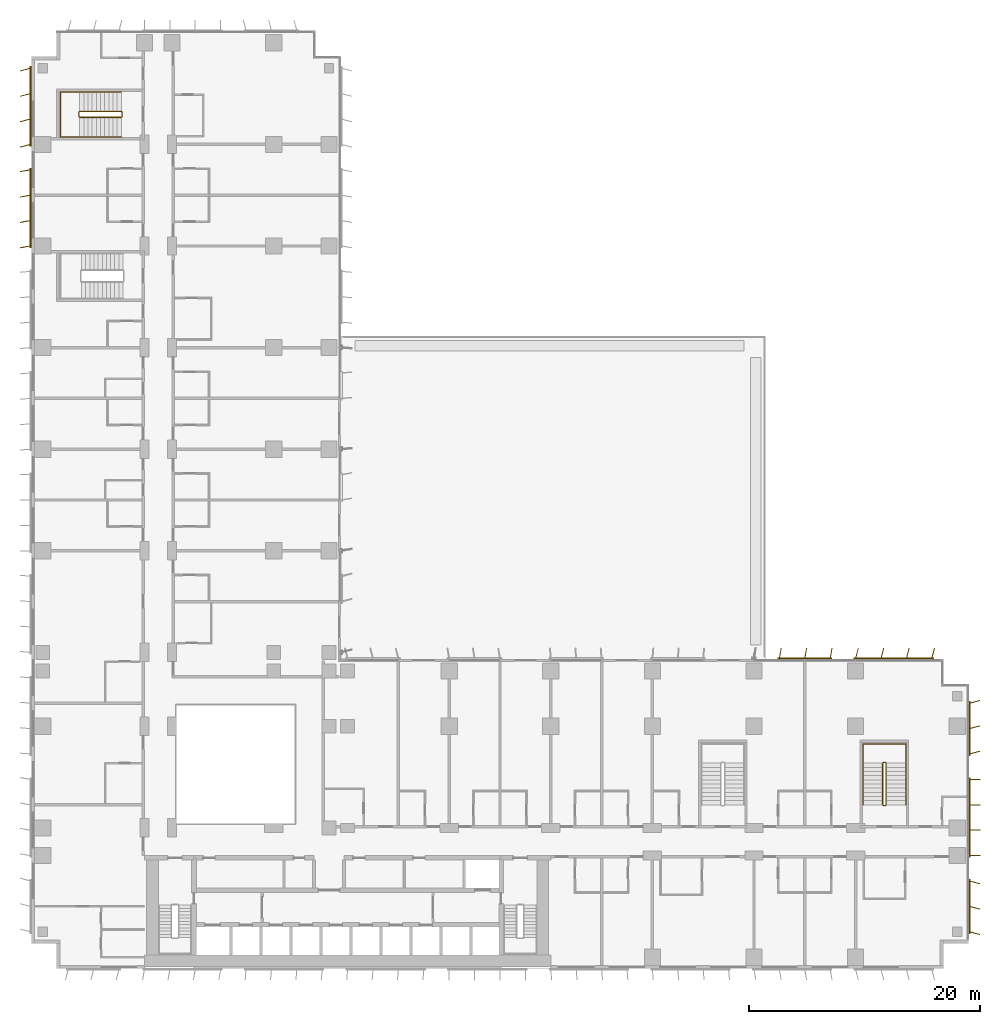
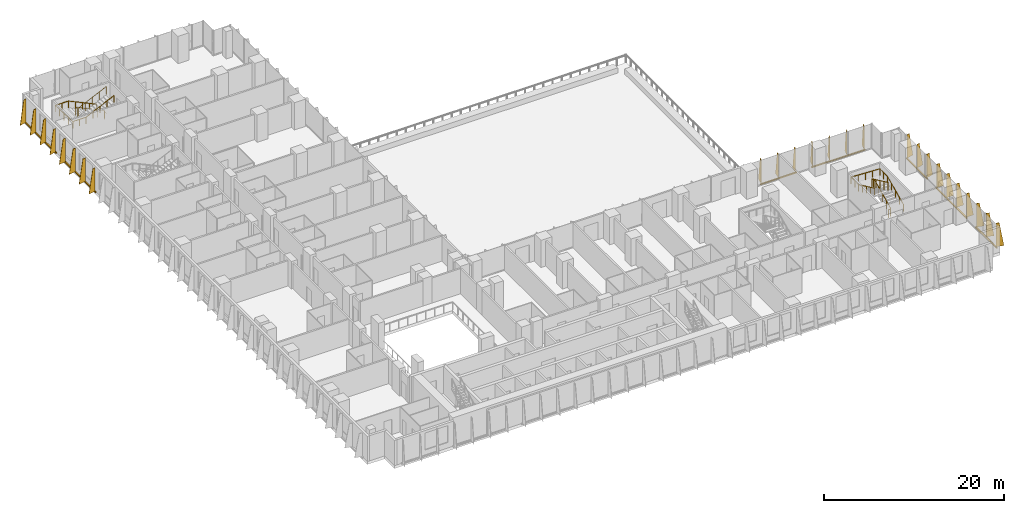
# One storey, part 22 of 23: 7 shading devices, 4 railings.
"""IFC4 building model written with IfcOpenShell, lengths in metres."""

from ifc_helpers import new_model, si_unit, direction, frame, origin, origin_2d, place, context, subcontext, project, spatial, polyline, rectangle, circle, outline, extrude, source, transform, mapped, material, layer, layer_set, type_object, element, save


model = new_model("IFC4")

# Units and contexts
model_context = context("Model", 3, precision=1e-05, world=origin(), true_north=direction((0.0, 1.0)))
body_context = subcontext(model_context, "Body", "Model", "MODEL_VIEW")
ifc_project = project(units=[si_unit("LENGTHUNIT", "METRE"), si_unit("AREAUNIT", "SQUARE_METRE"), si_unit("VOLUMEUNIT", "CUBIC_METRE"), si_unit("PLANEANGLEUNIT", "RADIAN"), si_unit("MASSUNIT", "GRAM", prefix="KILO")], contexts=[model_context])

# Site, building, storey
site_placement = place(None, origin())
site = spatial("IfcSite", under=ifc_project, at=site_placement, CompositionType="ELEMENT")
building_placement = place(site_placement, origin())
building = spatial("IfcBuilding", under=site, at=building_placement, Name="Kemantara Hotel Tower", CompositionType="ELEMENT")
storey_placement = place(building_placement, frame((0.0, 0.0, 34.0)))
storey = spatial("IfcBuildingStorey", under=building, at=storey_placement, Name="L06", CompositionType="ELEMENT", Elevation=34.0)

# Railings
ifc_material_1 = material(Name="Stainless steel balustrade", Category="steel")
railing_type_1 = type_object("IfcRailingType", Name="Stair guard 1100 mm", PredefinedType="GUARDRAIL", material=ifc_material_1)
railing_1_placement = place(storey_placement, frame((73.75, 14.199951171875, 3.699951171875)))
element("IfcRailing", 1, at=railing_1_placement, inside=storey, type_object=railing_type_1, Name="L06 ST5 stair guard 1", PredefinedType="GUARDRAIL", context=body_context, shape_type="SweptSolid", body=[
    extrude(circle(Radius=0.02392578125, at=origin_2d()), frame((0.0, 0.0, 1.076171875), z_axis=(0.0, 0.906005689286, -0.423265508849), x_axis=(-1.0, 0.0, 0.0)), (0.0, 0.0, 1.0), 3.9736328125),
    extrude(circle(Radius=0.02392578125, at=origin_2d()), frame((0.0, 3.60009765625, -0.60595703125), z_axis=(0.274582412415, 0.274582412415, -0.921525364591), x_axis=(-0.707106781187, 0.707106781187, 0.0)), (0.0, 0.0, 1.0), 0.182373046875),
    extrude(circle(Radius=0.02392578125, at=origin_2d()), frame((0.050048828125, 3.650146484375, -0.77392578125), z_axis=(1.0, 0.0, 0.0), x_axis=(0.0, 1.0, 0.0)), (0.0, 0.0, 1.0), 0.199951171875),
    extrude(circle(Radius=0.02392578125, at=origin_2d()), frame((0.25, 3.650146484375, -0.77392578125), z_axis=(0.707106781187, -0.707106781187, 0.0), x_axis=(0.707106781187, 0.707106781187, 0.0)), (0.0, 0.0, 1.0), 0.07080078125),
    extrude(circle(Radius=0.02392578125, at=origin_2d()), frame((0.300048828125, 3.60009765625, -0.77392578125), z_axis=(0.0, -0.906005689286, -0.423265508849), x_axis=(1.0, 0.0, 0.0)), (0.0, 0.0, 1.0), 3.9736328125),
    extrude(circle(Radius=0.02392578125, at=origin_2d()), frame((0.300048828125, 0.0, -2.45556640625), z_axis=(-0.274243871929, -0.274243871929, -0.92172696468), x_axis=(0.707106781187, -0.707106781187, 0.0)), (0.0, 0.0, 1.0), 0.1826171875),
    extrude(circle(Radius=0.02392578125, at=origin_2d()), frame((0.25, -0.050048828125, -2.6240234375), z_axis=(-1.0, 0.0, 0.0), x_axis=(0.0, -1.0, 0.0)), (0.0, 0.0, 1.0), 0.199951171875),
    extrude(circle(Radius=0.02099609375, at=origin_2d()), origin(), (0.0, 0.0, 1.0), 1.052001953125),
    extrude(circle(Radius=0.02099609375, at=origin_2d()), frame((0.0, 0.89990234375, -0.42041015625)), (0.0, 0.0, 1.0), 1.052001953125),
    extrude(circle(Radius=0.02099609375, at=origin_2d()), frame((0.0, 1.800048828125, -0.8408203125)), (0.0, 0.0, 1.0), 1.052001953125),
    extrude(circle(Radius=0.02099609375, at=origin_2d()), frame((0.0, 2.7001953125, -1.261474609375)), (0.0, 0.0, 1.0), 1.052001953125),
    extrude(circle(Radius=0.02099609375, at=origin_2d()), frame((0.0, 3.60009765625, -1.681884765625)), (0.0, 0.0, 1.0), 1.052001953125),
    extrude(circle(Radius=0.02099609375, at=origin_2d()), frame((0.050048828125, 3.650146484375, -1.849853515625)), (0.0, 0.0, 1.0), 1.052001953125),
    extrude(circle(Radius=0.02099609375, at=origin_2d()), frame((0.25, 3.650146484375, -1.849853515625)), (0.0, 0.0, 1.0), 1.052001953125),
    extrude(circle(Radius=0.02099609375, at=origin_2d()), frame((0.300048828125, 3.60009765625, -1.849853515625)), (0.0, 0.0, 1.0), 1.052001953125),
    extrude(circle(Radius=0.02099609375, at=origin_2d()), frame((0.300048828125, 2.7001953125, -2.270263671875)), (0.0, 0.0, 1.0), 1.052001953125),
    extrude(circle(Radius=0.02099609375, at=origin_2d()), frame((0.300048828125, 1.800048828125, -2.69091796875)), (0.0, 0.0, 1.0), 1.052001953125),
    extrude(circle(Radius=0.02099609375, at=origin_2d()), frame((0.300048828125, 0.89990234375, -3.111328125)), (0.0, 0.0, 1.0), 1.052001953125),
    extrude(circle(Radius=0.02099609375, at=origin_2d()), frame((0.300048828125, 0.0, -3.53173828125)), (0.0, 0.0, 1.0), 1.052001953125),
    extrude(circle(Radius=0.02099609375, at=origin_2d()), frame((0.25, -0.050048828125, -3.699951171875)), (0.0, 0.0, 1.0), 1.052001953125),
    extrude(circle(Radius=0.02099609375, at=origin_2d()), frame((0.050048828125, -0.050048828125, -3.699951171875)), (0.0, 0.0, 1.0), 1.052001953125),
])
railing_2_placement = place(storey_placement, frame((7.800048828125, 73.75, 3.699951171875)))
element("IfcRailing", 2, at=railing_2_placement, inside=storey, type_object=railing_type_1, Name="L06 ST6 stair guard 1", PredefinedType="GUARDRAIL", context=body_context, shape_type="SweptSolid", body=[
    extrude(circle(Radius=0.02392578125, at=origin_2d()), frame((0.0, 0.0, 1.076171875), z_axis=(-0.906005689286, 0.0, -0.423265508849), x_axis=(0.0, -1.0, 0.0)), (0.0, 0.0, 1.0), 3.9736328125),
    extrude(circle(Radius=0.02392578125, at=origin_2d()), frame((-3.60009765625, 0.0, -0.60595703125), z_axis=(-0.274582412415, 0.274582412415, -0.921525364591), x_axis=(-0.707106781187, -0.707106781187, 0.0)), (0.0, 0.0, 1.0), 0.182373046875),
    extrude(circle(Radius=0.02392578125, at=origin_2d()), frame((-3.650146484375, 0.050048828125, -0.77392578125), z_axis=(0.0, 1.0, 0.0), x_axis=(-1.0, 0.0, 0.0)), (0.0, 0.0, 1.0), 0.39990234375),
    extrude(circle(Radius=0.02392578125, at=origin_2d()), frame((-3.650146484375, 0.449951171875, -0.77392578125), z_axis=(0.707106781187, 0.707106781187, 0.0), x_axis=(-0.707106781187, 0.707106781187, 0.0)), (0.0, 0.0, 1.0), 0.07080078125),
    extrude(circle(Radius=0.02392578125, at=origin_2d()), frame((-3.60009765625, 0.5, -0.77392578125), z_axis=(0.906005689286, 0.0, -0.423265508849), x_axis=(0.0, 1.0, 0.0)), (0.0, 0.0, 1.0), 3.9736328125),
    extrude(circle(Radius=0.02392578125, at=origin_2d()), frame((0.0, 0.5, -2.45556640625), z_axis=(0.274243871929, -0.274243871929, -0.92172696468), x_axis=(0.707106781187, 0.707106781187, 0.0)), (0.0, 0.0, 1.0), 0.1826171875),
    extrude(circle(Radius=0.02392578125, at=origin_2d()), frame((0.050048828125, 0.449951171875, -2.6240234375), z_axis=(0.0, -1.0, 0.0), x_axis=(1.0, 0.0, 0.0)), (0.0, 0.0, 1.0), 0.39990234375),
    extrude(circle(Radius=0.02099609375, at=origin_2d()), origin(), (0.0, 0.0, 1.0), 1.052001953125),
    extrude(circle(Radius=0.02099609375, at=origin_2d()), frame((-0.89990234375, 0.0, -0.42041015625)), (0.0, 0.0, 1.0), 1.052001953125),
    extrude(circle(Radius=0.02099609375, at=origin_2d()), frame((-1.800048828125, 0.0, -0.8408203125)), (0.0, 0.0, 1.0), 1.052001953125),
    extrude(circle(Radius=0.02099609375, at=origin_2d()), frame((-2.7001953125, 0.0, -1.261474609375)), (0.0, 0.0, 1.0), 1.052001953125),
    extrude(circle(Radius=0.02099609375, at=origin_2d()), frame((-3.60009765625, 0.0, -1.681884765625)), (0.0, 0.0, 1.0), 1.052001953125),
    extrude(circle(Radius=0.02099609375, at=origin_2d()), frame((-3.650146484375, 0.050048828125, -1.849853515625)), (0.0, 0.0, 1.0), 1.052001953125),
    extrude(circle(Radius=0.02099609375, at=origin_2d()), frame((-3.650146484375, 0.449951171875, -1.849853515625)), (0.0, 0.0, 1.0), 1.052001953125),
    extrude(circle(Radius=0.02099609375, at=origin_2d()), frame((-3.60009765625, 0.5, -1.849853515625)), (0.0, 0.0, 1.0), 1.052001953125),
    extrude(circle(Radius=0.02099609375, at=origin_2d()), frame((-2.7001953125, 0.5, -2.270263671875)), (0.0, 0.0, 1.0), 1.052001953125),
    extrude(circle(Radius=0.02099609375, at=origin_2d()), frame((-1.800048828125, 0.5, -2.69091796875)), (0.0, 0.0, 1.0), 1.052001953125),
    extrude(circle(Radius=0.02099609375, at=origin_2d()), frame((-0.89990234375, 0.5, -3.111328125)), (0.0, 0.0, 1.0), 1.052001953125),
    extrude(circle(Radius=0.02099609375, at=origin_2d()), frame((0.0, 0.5, -3.53173828125)), (0.0, 0.0, 1.0), 1.052001953125),
    extrude(circle(Radius=0.02099609375, at=origin_2d()), frame((0.050048828125, 0.449951171875, -3.699951171875)), (0.0, 0.0, 1.0), 1.052001953125),
    extrude(circle(Radius=0.02099609375, at=origin_2d()), frame((0.050048828125, 0.050048828125, -3.699951171875)), (0.0, 0.0, 1.0), 1.052001953125),
])
railing_type_2 = type_object("IfcRailingType", Name="Stair handrail 900 mm", PredefinedType="HANDRAIL", material=ifc_material_1)
railing_3_placement = place(storey_placement, frame((75.75, 14.199951171875, 0.168212890625)))
element("IfcRailing", 3, at=railing_3_placement, inside=storey, type_object=railing_type_2, Name="L06 ST5 stair handrail 1", PredefinedType="HANDRAIL", context=body_context, shape_type="SweptSolid", body=[
    extrude(circle(Radius=0.02392578125, at=origin_2d()), frame((0.0, 0.0, 0.8759765625), z_axis=(0.0, 0.906005689286, 0.423265508849), x_axis=(-1.0, 0.0, 0.0)), (0.0, 0.0, 1.0), 3.9736328125),
    extrude(circle(Radius=0.02392578125, at=origin_2d()), frame((0.0, 3.60009765625, 2.5576171875), z_axis=(0.0, 1.0, 0.0), x_axis=(-1.0, 0.0, 0.0)), (0.0, 0.0, 1.0), 1.679931640625),
    extrude(circle(Radius=0.02392578125, at=origin_2d()), frame((0.0, 5.280029296875, 2.5576171875), z_axis=(-0.998971120908, 0.0, 0.045350849963), x_axis=(0.0, -1.0, 0.0)), (0.0, 0.0, 1.0), 3.703857421875),
    extrude(circle(Radius=0.02392578125, at=origin_2d()), frame((-3.699951171875, 5.280029296875, 2.7255859375), z_axis=(0.0, -1.0, 0.0), x_axis=(1.0, 0.0, 0.0)), (0.0, 0.0, 1.0), 1.679931640625),
    extrude(circle(Radius=0.02392578125, at=origin_2d()), frame((-3.699951171875, 3.60009765625, 2.7255859375), z_axis=(0.0, -0.906005689286, 0.423265508849), x_axis=(1.0, 0.0, 0.0)), (0.0, 0.0, 1.0), 3.9736328125),
    extrude(circle(Radius=0.02099609375, at=origin_2d()), origin(), (0.0, 0.0, 1.0), 0.851806640625),
    extrude(circle(Radius=0.02099609375, at=origin_2d()), frame((0.0, 0.89990234375, 0.42041015625)), (0.0, 0.0, 1.0), 0.851806640625),
    extrude(circle(Radius=0.02099609375, at=origin_2d()), frame((0.0, 1.800048828125, 0.8408203125)), (0.0, 0.0, 1.0), 0.851806640625),
    extrude(circle(Radius=0.02099609375, at=origin_2d()), frame((0.0, 2.7001953125, 1.261474609375)), (0.0, 0.0, 1.0), 0.851806640625),
    extrude(circle(Radius=0.02099609375, at=origin_2d()), frame((0.0, 3.60009765625, 1.681884765625)), (0.0, 0.0, 1.0), 0.851806640625),
    extrude(circle(Radius=0.02099609375, at=origin_2d()), frame((0.0, 4.43994140625, 1.681884765625)), (0.0, 0.0, 1.0), 0.851806640625),
    extrude(circle(Radius=0.02099609375, at=origin_2d()), frame((0.0, 5.280029296875, 1.681884765625)), (0.0, 0.0, 1.0), 0.851806640625),
    extrude(circle(Radius=0.02099609375, at=origin_2d()), frame((-0.925048828125, 5.280029296875, 1.723876953125)), (0.0, 0.0, 1.0), 0.851806640625),
    extrude(circle(Radius=0.02099609375, at=origin_2d()), frame((-1.85009765625, 5.280029296875, 1.765869140625)), (0.0, 0.0, 1.0), 0.851806640625),
    extrude(circle(Radius=0.02099609375, at=origin_2d()), frame((-2.77490234375, 5.280029296875, 1.807861328125)), (0.0, 0.0, 1.0), 0.851806640625),
    extrude(circle(Radius=0.02099609375, at=origin_2d()), frame((-3.699951171875, 5.280029296875, 1.849853515625)), (0.0, 0.0, 1.0), 0.851806640625),
    extrude(circle(Radius=0.02099609375, at=origin_2d()), frame((-3.699951171875, 4.43994140625, 1.849853515625)), (0.0, 0.0, 1.0), 0.851806640625),
    extrude(circle(Radius=0.02099609375, at=origin_2d()), frame((-3.699951171875, 3.60009765625, 1.849853515625)), (0.0, 0.0, 1.0), 0.851806640625),
    extrude(circle(Radius=0.02099609375, at=origin_2d()), frame((-3.699951171875, 2.7001953125, 2.270263671875)), (0.0, 0.0, 1.0), 0.851806640625),
    extrude(circle(Radius=0.02099609375, at=origin_2d()), frame((-3.699951171875, 1.800048828125, 2.69091796875)), (0.0, 0.0, 1.0), 0.851806640625),
    extrude(circle(Radius=0.02099609375, at=origin_2d()), frame((-3.699951171875, 0.89990234375, 3.111328125)), (0.0, 0.0, 1.0), 0.851806640625),
    extrude(circle(Radius=0.02099609375, at=origin_2d()), frame((-3.699951171875, 0.0, 3.53173828125)), (0.0, 0.0, 1.0), 0.851806640625),
])
railing_4_placement = place(storey_placement, frame((7.800048828125, 75.949951171875, 0.168212890625)))
element("IfcRailing", 4, at=railing_4_placement, inside=storey, type_object=railing_type_2, Name="L06 ST6 stair handrail 1", PredefinedType="HANDRAIL", context=body_context, shape_type="SweptSolid", body=[
    extrude(circle(Radius=0.02392578125, at=origin_2d()), frame((0.0, 0.0, 0.8759765625), z_axis=(-0.906005689286, 0.0, 0.423265508849), x_axis=(0.0, -1.0, 0.0)), (0.0, 0.0, 1.0), 3.9736328125),
    extrude(circle(Radius=0.02392578125, at=origin_2d()), frame((-3.60009765625, 0.0, 2.5576171875), z_axis=(-1.0, 0.0, 0.0), x_axis=(0.0, -1.0, 0.0)), (0.0, 0.0, 1.0), 1.679931640625),
    extrude(circle(Radius=0.02392578125, at=origin_2d()), frame((-5.280029296875, 0.0, 2.5576171875), z_axis=(0.0, -0.999073776461, 0.043030096294), x_axis=(1.0, 0.0, 0.0)), (0.0, 0.0, 1.0), 3.903564453125),
    extrude(circle(Radius=0.02392578125, at=origin_2d()), frame((-5.280029296875, -3.89990234375, 2.7255859375), z_axis=(1.0, 0.0, 0.0), x_axis=(0.0, 1.0, 0.0)), (0.0, 0.0, 1.0), 1.679931640625),
    extrude(circle(Radius=0.02392578125, at=origin_2d()), frame((-3.60009765625, -3.89990234375, 2.7255859375), z_axis=(0.906005689286, 0.0, 0.423265508849), x_axis=(0.0, 1.0, 0.0)), (0.0, 0.0, 1.0), 3.9736328125),
    extrude(circle(Radius=0.02099609375, at=origin_2d()), origin(), (0.0, 0.0, 1.0), 0.851806640625),
    extrude(circle(Radius=0.02099609375, at=origin_2d()), frame((-0.89990234375, 0.0, 0.42041015625)), (0.0, 0.0, 1.0), 0.851806640625),
    extrude(circle(Radius=0.02099609375, at=origin_2d()), frame((-1.800048828125, 0.0, 0.8408203125)), (0.0, 0.0, 1.0), 0.851806640625),
    extrude(circle(Radius=0.02099609375, at=origin_2d()), frame((-2.7001953125, 0.0, 1.261474609375)), (0.0, 0.0, 1.0), 0.851806640625),
    extrude(circle(Radius=0.02099609375, at=origin_2d()), frame((-3.60009765625, 0.0, 1.681884765625)), (0.0, 0.0, 1.0), 0.851806640625),
    extrude(circle(Radius=0.02099609375, at=origin_2d()), frame((-4.43994140625, 0.0, 1.681884765625)), (0.0, 0.0, 1.0), 0.851806640625),
    extrude(circle(Radius=0.02099609375, at=origin_2d()), frame((-5.280029296875, 0.0, 1.681884765625)), (0.0, 0.0, 1.0), 0.851806640625),
    extrude(circle(Radius=0.02099609375, at=origin_2d()), frame((-5.280029296875, -0.97509765625, 1.723876953125)), (0.0, 0.0, 1.0), 0.851806640625),
    extrude(circle(Radius=0.02099609375, at=origin_2d()), frame((-5.280029296875, -1.949951171875, 1.765869140625)), (0.0, 0.0, 1.0), 0.851806640625),
    extrude(circle(Radius=0.02099609375, at=origin_2d()), frame((-5.280029296875, -2.9248046875, 1.807861328125)), (0.0, 0.0, 1.0), 0.851806640625),
    extrude(circle(Radius=0.02099609375, at=origin_2d()), frame((-5.280029296875, -3.89990234375, 1.849853515625)), (0.0, 0.0, 1.0), 0.851806640625),
    extrude(circle(Radius=0.02099609375, at=origin_2d()), frame((-4.43994140625, -3.89990234375, 1.849853515625)), (0.0, 0.0, 1.0), 0.851806640625),
    extrude(circle(Radius=0.02099609375, at=origin_2d()), frame((-3.60009765625, -3.89990234375, 1.849853515625)), (0.0, 0.0, 1.0), 0.851806640625),
    extrude(circle(Radius=0.02099609375, at=origin_2d()), frame((-2.7001953125, -3.89990234375, 2.270263671875)), (0.0, 0.0, 1.0), 0.851806640625),
    extrude(circle(Radius=0.02099609375, at=origin_2d()), frame((-1.800048828125, -3.89990234375, 2.69091796875)), (0.0, 0.0, 1.0), 0.851806640625),
    extrude(circle(Radius=0.02099609375, at=origin_2d()), frame((-0.89990234375, -3.89990234375, 3.111328125)), (0.0, 0.0, 1.0), 0.851806640625),
    extrude(circle(Radius=0.02099609375, at=origin_2d()), frame((0.0, -3.89990234375, 3.53173828125)), (0.0, 0.0, 1.0), 0.851806640625),
])

# Shading devices
ifc_material_2 = material(Name="Perforated aluminium plate 4 mm bronze anodised", Category="aluminium")
ifc_layer_1 = layer(ifc_material_2, 0.0400390625)
ifc_layer_set_1 = layer_set([ifc_layer_1], Name="Perforated aluminium plate 4 mm bronze anodised")
shading_device_type_1 = type_object("IfcShadingDeviceType", Name="SCREEN FIN CASSETTE, 3 BLADES AT -15.0 DEG, 3200 HIGH", PredefinedType="USERDEFINED", material=ifc_layer_set_1)
shared_shape_1 = source(origin(), body_context, "Body", "SweptSolid", [
    extrude(rectangle(XDim=4.699951171875, YDim=0.14990234375, at=origin_2d()), frame((2.199951171875, -0.074951171875, -0.14990234375), z_axis=(0.0, 0.0, 1.0), x_axis=(1.0, 0.0, 0.0)), (0.0, 0.0, 1.0), 0.14990234375),
    extrude(outline(polyline([(0.0, 0.0), (0.89990234375, 0.0), (0.35009765625, 3.199951171875), (0.0, 3.199951171875), (0.0, 0.0)])), frame((0.019287109375, -0.080078125, 0.0), z_axis=(-0.966437683387, 0.256901156343, 0.0), x_axis=(-0.256901156343, -0.966437683387, 0.0)), (0.0, 0.0, 1.0), 0.039794921875),
    extrude(outline(polyline([(0.0, 0.0), (0.89990234375, 0.0), (0.35009765625, 3.199951171875), (0.0, 3.199951171875), (0.0, 0.0)])), frame((2.21923828125, -0.080078125, 0.0), z_axis=(-0.966437683387, 0.256901156343, 0.0), x_axis=(-0.256901156343, -0.966437683387, 0.0)), (0.0, 0.0, 1.0), 0.039794921875),
    extrude(outline(polyline([(0.0, 0.0), (0.89990234375, 0.0), (0.35009765625, 3.199951171875), (0.0, 3.199951171875), (0.0, 0.0)])), frame((4.41943359375, -0.080078125, 0.0), z_axis=(-0.966837822169, 0.255391122837, 0.0), x_axis=(-0.255391122837, -0.966837822169, 0.0)), (0.0, 0.0, 1.0), 0.0400390625),
])
shading_device_1_placement = place(storey_placement, frame((81.199951171875, 3.199951171875, 0.10009765625), z_axis=(0.0, 0.0, 1.0), x_axis=(0.0, 1.0, 0.0)))
element("IfcShadingDevice", 5, at=shading_device_1_placement, inside=storey, type_object=shading_device_type_1, Name="SCREEN FIN CASSETTE L06 T1-R04-1", ObjectType="SCREEN FIN", PredefinedType="USERDEFINED", context=body_context, shape_type="MappedRepresentation", body=[
    mapped(shared_shape_1, transform((0.0, 0.0, 0.0))),
])
ifc_layer_2 = layer(ifc_material_2, 0.0400390625)
ifc_layer_set_2 = layer_set([ifc_layer_2], Name="Perforated aluminium plate 4 mm bronze anodised")
shading_device_type_2 = type_object("IfcShadingDeviceType", Name="SCREEN FIN CASSETTE, 4 BLADES AT +0.0 DEG, 3200 HIGH", PredefinedType="USERDEFINED", material=ifc_layer_set_2)
shared_shape_2 = source(origin(), body_context, "Body", "SweptSolid", [
    extrude(rectangle(XDim=6.89990234375, YDim=0.14990234375, at=origin_2d()), frame((3.300048828125, -0.074951171875, -0.14990234375), z_axis=(0.0, 0.0, 1.0), x_axis=(1.0, 0.0, 0.0)), (0.0, 0.0, 1.0), 0.14990234375),
    extrude(outline(polyline([(0.0, 0.0), (0.89990234375, 0.0), (0.35009765625, 3.199951171875), (0.0, 3.199951171875), (0.0, 0.0)])), frame((0.02001953125, -0.074951171875, 0.0), z_axis=(-1.0, 0.0, 0.0), x_axis=(0.0, -1.0, 0.0)), (0.0, 0.0, 1.0), 0.0400390625),
    extrude(outline(polyline([(0.0, 0.0), (0.89990234375, 0.0), (0.35009765625, 3.199951171875), (0.0, 3.199951171875), (0.0, 0.0)])), frame((2.219970703125, -0.074951171875, 0.0), z_axis=(-1.0, 0.0, 0.0), x_axis=(0.0, -1.0, 0.0)), (0.0, 0.0, 1.0), 0.0400390625),
    extrude(outline(polyline([(0.0, 0.0), (0.89990234375, 0.0), (0.35009765625, 3.199951171875), (0.0, 3.199951171875), (0.0, 0.0)])), frame((4.419921875, -0.074951171875, 0.0), z_axis=(-1.0, 0.0, 0.0), x_axis=(0.0, -1.0, 0.0)), (0.0, 0.0, 1.0), 0.0400390625),
    extrude(outline(polyline([(0.0, 0.0), (0.89990234375, 0.0), (0.35009765625, 3.199951171875), (0.0, 3.199951171875), (0.0, 0.0)])), frame((6.6201171875, -0.074951171875, 0.0), z_axis=(-1.0, 0.0, 0.0), x_axis=(0.0, -1.0, 0.0)), (0.0, 0.0, 1.0), 0.0400390625),
])
shading_device_2_placement = place(storey_placement, frame((81.199951171875, 9.800048828125, 0.10009765625), z_axis=(0.0, 0.0, 1.0), x_axis=(0.0, 1.0, 0.0)))
element("IfcShadingDevice", 6, at=shading_device_2_placement, inside=storey, type_object=shading_device_type_2, Name="SCREEN FIN CASSETTE L06 T1-R04-2", ObjectType="SCREEN FIN", PredefinedType="USERDEFINED", context=body_context, shape_type="MappedRepresentation", body=[
    mapped(shared_shape_2, transform((0.0, 0.0, 0.0))),
])
ifc_layer_3 = layer(ifc_material_2, 0.0400390625)
ifc_layer_set_3 = layer_set([ifc_layer_3], Name="Perforated aluminium plate 4 mm bronze anodised")
shading_device_type_3 = type_object("IfcShadingDeviceType", Name="SCREEN FIN CASSETTE, 4 BLADES AT +10.0 DEG, 3200 HIGH", PredefinedType="USERDEFINED", material=ifc_layer_set_3)
shared_shape_3 = source(origin(), body_context, "Body", "SweptSolid", [
    extrude(rectangle(XDim=6.89990234375, YDim=0.14990234375, at=origin_2d()), frame((3.300048828125, -0.074951171875, -0.14990234375), z_axis=(0.0, 0.0, 1.0), x_axis=(1.0, 0.0, 0.0)), (0.0, 0.0, 1.0), 0.14990234375),
    extrude(outline(polyline([(0.0, 0.0), (0.89990234375, 0.0), (0.35009765625, 3.199951171875), (0.0, 3.199951171875), (0.0, 0.0)])), frame((0.019775390625, -0.071533203125, 0.0), z_axis=(-0.985389793052, -0.170314285219, 0.0), x_axis=(0.170314285219, -0.985389793052, 0.0)), (0.0, 0.0, 1.0), 0.0400390625),
    extrude(outline(polyline([(0.0, 0.0), (0.89990234375, 0.0), (0.35009765625, 3.199951171875), (0.0, 3.199951171875), (0.0, 0.0)])), frame((2.2197265625, -0.071533203125, 0.0), z_axis=(-0.98521175482, -0.171341174751, 0.0), x_axis=(0.171341174751, -0.98521175482, 0.0)), (0.0, 0.0, 1.0), 0.039794921875),
    extrude(outline(polyline([(0.0, 0.0), (0.89990234375, 0.0), (0.35009765625, 3.199951171875), (0.0, 3.199951171875), (0.0, 0.0)])), frame((4.419677734375, -0.071533203125, 0.0), z_axis=(-0.98521175482, -0.171341174751, 0.0), x_axis=(0.171341174751, -0.98521175482, 0.0)), (0.0, 0.0, 1.0), 0.039794921875),
    extrude(outline(polyline([(0.0, 0.0), (0.89990234375, 0.0), (0.35009765625, 3.199951171875), (0.0, 3.199951171875), (0.0, 0.0)])), frame((6.61962890625, -0.071533203125, 0.0), z_axis=(-0.98521175482, -0.171341174751, 0.0), x_axis=(0.171341174751, -0.98521175482, 0.0)), (0.0, 0.0, 1.0), 0.039794921875),
])
shading_device_3_placement = place(storey_placement, frame((0.0, 69.199951171875, 0.10009765625), z_axis=(0.0, 0.0, 1.0), x_axis=(0.0, -1.0, 0.0)))
element("IfcShadingDevice", 7, at=shading_device_3_placement, inside=storey, type_object=shading_device_type_3, Name="SCREEN FIN CASSETTE L06 T1-R14-2", ObjectType="SCREEN FIN", PredefinedType="USERDEFINED", context=body_context, shape_type="MappedRepresentation", body=[
    mapped(shared_shape_3, transform((0.0, 0.0, 0.0))),
])
ifc_layer_4 = layer(ifc_material_2, 0.0400390625)
ifc_layer_set_4 = layer_set([ifc_layer_4], Name="Perforated aluminium plate 4 mm bronze anodised")
shading_device_type_4 = type_object("IfcShadingDeviceType", Name="SCREEN FIN CASSETTE, 4 BLADES AT +15.0 DEG, 3200 HIGH", PredefinedType="USERDEFINED", material=ifc_layer_set_4)
shared_shape_4 = source(origin(), body_context, "Body", "SweptSolid", [
    extrude(rectangle(XDim=6.89990234375, YDim=0.14990234375, at=origin_2d()), frame((3.300048828125, -0.074951171875, -0.14990234375), z_axis=(0.0, 0.0, 1.0), x_axis=(1.0, 0.0, 0.0)), (0.0, 0.0, 1.0), 0.14990234375),
    extrude(outline(polyline([(0.0, 0.0), (0.89990234375, 0.0), (0.35009765625, 3.199951171875), (0.0, 3.199951171875), (0.0, 0.0)])), frame((0.019287109375, -0.06982421875, 0.0), z_axis=(-0.966437683387, -0.256901156343, 0.0), x_axis=(0.256901156343, -0.966437683387, 0.0)), (0.0, 0.0, 1.0), 0.039794921875),
    extrude(outline(polyline([(0.0, 0.0), (0.89990234375, 0.0), (0.35009765625, 3.199951171875), (0.0, 3.199951171875), (0.0, 0.0)])), frame((2.21923828125, -0.06982421875, 0.0), z_axis=(-0.966437683387, -0.256901156343, 0.0), x_axis=(0.256901156343, -0.966437683387, 0.0)), (0.0, 0.0, 1.0), 0.039794921875),
    extrude(outline(polyline([(0.0, 0.0), (0.89990234375, 0.0), (0.35009765625, 3.199951171875), (0.0, 3.199951171875), (0.0, 0.0)])), frame((4.41943359375, -0.06982421875, 0.0), z_axis=(-0.966837822169, -0.255391122837, 0.0), x_axis=(0.255391122837, -0.966837822169, 0.0)), (0.0, 0.0, 1.0), 0.0400390625),
    extrude(outline(polyline([(0.0, 0.0), (0.89990234375, 0.0), (0.35009765625, 3.199951171875), (0.0, 3.199951171875), (0.0, 0.0)])), frame((6.619384765625, -0.06982421875, 0.0), z_axis=(-0.966837822169, -0.255391122837, 0.0), x_axis=(0.255391122837, -0.966837822169, 0.0)), (0.0, 0.0, 1.0), 0.0400390625),
])
shading_device_4_placement = place(storey_placement, frame((0.0, 78.0, 0.10009765625), z_axis=(0.0, 0.0, 1.0), x_axis=(0.0, -1.0, 0.0)))
element("IfcShadingDevice", 8, at=shading_device_4_placement, inside=storey, type_object=shading_device_type_4, Name="SCREEN FIN CASSETTE L06 T1-R14-1", ObjectType="SCREEN FIN", PredefinedType="USERDEFINED", context=body_context, shape_type="MappedRepresentation", body=[
    mapped(shared_shape_4, transform((0.0, 0.0, 0.0))),
])
ifc_layer_5 = layer(ifc_material_2, 0.0400390625)
ifc_layer_set_5 = layer_set([ifc_layer_5], Name="Perforated aluminium plate 4 mm bronze anodised")
shading_device_type_5 = type_object("IfcShadingDeviceType", Name="SCREEN FIN CASSETTE, 3 BLADES AT +15.0 DEG, 3200 HIGH", PredefinedType="USERDEFINED", material=ifc_layer_set_5)
shared_shape_5 = source(origin(), body_context, "Body", "SweptSolid", [
    extrude(rectangle(XDim=4.699951171875, YDim=0.14990234375, at=origin_2d()), frame((2.199951171875, -0.074951171875, -0.14990234375), z_axis=(0.0, 0.0, 1.0), x_axis=(1.0, 0.0, 0.0)), (0.0, 0.0, 1.0), 0.14990234375),
    extrude(outline(polyline([(0.0, 0.0), (0.89990234375, 0.0), (0.35009765625, 3.199951171875), (0.0, 3.199951171875), (0.0, 0.0)])), frame((0.019287109375, -0.06982421875, 0.0), z_axis=(-0.966437683387, -0.256901156343, 0.0), x_axis=(0.256901156343, -0.966437683387, 0.0)), (0.0, 0.0, 1.0), 0.039794921875),
    extrude(outline(polyline([(0.0, 0.0), (0.89990234375, 0.0), (0.35009765625, 3.199951171875), (0.0, 3.199951171875), (0.0, 0.0)])), frame((2.21923828125, -0.06982421875, 0.0), z_axis=(-0.966437683387, -0.256901156343, 0.0), x_axis=(0.256901156343, -0.966437683387, 0.0)), (0.0, 0.0, 1.0), 0.039794921875),
    extrude(outline(polyline([(0.0, 0.0), (0.89990234375, 0.0), (0.35009765625, 3.199951171875), (0.0, 3.199951171875), (0.0, 0.0)])), frame((4.41943359375, -0.06982421875, 0.0), z_axis=(-0.966837822169, -0.255391122837, 0.0), x_axis=(0.255391122837, -0.966837822169, 0.0)), (0.0, 0.0, 1.0), 0.0400390625),
])
shading_device_5_placement = place(storey_placement, frame((81.199951171875, 18.60009765625, 0.10009765625), z_axis=(0.0, 0.0, 1.0), x_axis=(0.0, 1.0, 0.0)))
element("IfcShadingDevice", 9, at=shading_device_5_placement, inside=storey, type_object=shading_device_type_5, Name="SCREEN FIN CASSETTE L06 T1-R04-3", ObjectType="SCREEN FIN", PredefinedType="USERDEFINED", context=body_context, shape_type="MappedRepresentation", body=[
    mapped(shared_shape_5, transform((0.0, 0.0, 0.0))),
])
ifc_layer_6 = layer(ifc_material_2, 0.0400390625)
ifc_layer_set_6 = layer_set([ifc_layer_6], Name="Perforated aluminium plate 4 mm bronze anodised")
shading_device_type_6 = type_object("IfcShadingDeviceType", Name="SCREEN FIN CASSETTE, 4 BLADES AT -15.0 DEG, 3200 HIGH", PredefinedType="USERDEFINED", material=ifc_layer_set_6)
shared_shape_6 = source(origin(), body_context, "Body", "SweptSolid", [
    extrude(rectangle(XDim=6.89990234375, YDim=0.14990234375, at=origin_2d()), frame((3.300048828125, -0.074951171875, -0.14990234375), z_axis=(0.0, 0.0, 1.0), x_axis=(1.0, 0.0, 0.0)), (0.0, 0.0, 1.0), 0.14990234375),
    extrude(outline(polyline([(0.0, 0.0), (0.89990234375, 0.0), (0.35009765625, 3.199951171875), (0.0, 3.199951171875), (0.0, 0.0)])), frame((0.019287109375, -0.080078125, 0.0), z_axis=(-0.966437683387, 0.256901156343, 0.0), x_axis=(-0.256901156343, -0.966437683387, 0.0)), (0.0, 0.0, 1.0), 0.039794921875),
    extrude(outline(polyline([(0.0, 0.0), (0.89990234375, 0.0), (0.35009765625, 3.199951171875), (0.0, 3.199951171875), (0.0, 0.0)])), frame((2.21923828125, -0.080078125, 0.0), z_axis=(-0.966437683387, 0.256901156343, 0.0), x_axis=(-0.256901156343, -0.966437683387, 0.0)), (0.0, 0.0, 1.0), 0.039794921875),
    extrude(outline(polyline([(0.0, 0.0), (0.89990234375, 0.0), (0.35009765625, 3.199951171875), (0.0, 3.199951171875), (0.0, 0.0)])), frame((4.41943359375, -0.080078125, 0.0), z_axis=(-0.966837822169, 0.255391122837, 0.0), x_axis=(-0.255391122837, -0.966837822169, 0.0)), (0.0, 0.0, 1.0), 0.0400390625),
    extrude(outline(polyline([(0.0, 0.0), (0.89990234375, 0.0), (0.35009765625, 3.199951171875), (0.0, 3.199951171875), (0.0, 0.0)])), frame((6.619384765625, -0.080078125, 0.0), z_axis=(-0.966837822169, 0.255391122837, 0.0), x_axis=(-0.255391122837, -0.966837822169, 0.0)), (0.0, 0.0, 1.0), 0.0400390625),
])
shading_device_6_placement = place(storey_placement, frame((78.0, 26.800048828125, 0.10009765625), z_axis=(0.0, 0.0, 1.0), x_axis=(-1.0, 0.0, 0.0)))
element("IfcShadingDevice", 10, at=shading_device_6_placement, inside=storey, type_object=shading_device_type_6, Name="SCREEN FIN CASSETTE L06 T1-R07-1", ObjectType="SCREEN FIN", PredefinedType="USERDEFINED", context=body_context, shape_type="MappedRepresentation", body=[
    mapped(shared_shape_6, transform((0.0, 0.0, 0.0))),
])
ifc_layer_7 = layer(ifc_material_2, 0.0400390625)
ifc_layer_set_7 = layer_set([ifc_layer_7], Name="Perforated aluminium plate 4 mm bronze anodised")
shading_device_type_7 = type_object("IfcShadingDeviceType", Name="SCREEN FIN CASSETTE, 3 BLADES AT -10.0 DEG, 3200 HIGH", PredefinedType="USERDEFINED", material=ifc_layer_set_7)
shared_shape_7 = source(origin(), body_context, "Body", "SweptSolid", [
    extrude(rectangle(XDim=4.699951171875, YDim=0.14990234375, at=origin_2d()), frame((2.199951171875, -0.074951171875, -0.14990234375), z_axis=(0.0, 0.0, 1.0), x_axis=(1.0, 0.0, 0.0)), (0.0, 0.0, 1.0), 0.14990234375),
    extrude(outline(polyline([(0.0, 0.0), (0.89990234375, 0.0), (0.35009765625, 3.199951171875), (0.0, 3.199951171875), (0.0, 0.0)])), frame((0.019775390625, -0.078369140625, 0.0), z_axis=(-0.985389793052, 0.170314285219, 0.0), x_axis=(-0.170314285219, -0.985389793052, 0.0)), (0.0, 0.0, 1.0), 0.0400390625),
    extrude(outline(polyline([(0.0, 0.0), (0.89990234375, 0.0), (0.35009765625, 3.199951171875), (0.0, 3.199951171875), (0.0, 0.0)])), frame((2.2197265625, -0.078369140625, 0.0), z_axis=(-0.98521175482, 0.171341174751, 0.0), x_axis=(-0.171341174751, -0.98521175482, 0.0)), (0.0, 0.0, 1.0), 0.039794921875),
    extrude(outline(polyline([(0.0, 0.0), (0.89990234375, 0.0), (0.35009765625, 3.199951171875), (0.0, 3.199951171875), (0.0, 0.0)])), frame((4.419677734375, -0.078369140625, 0.0), z_axis=(-0.98521175482, 0.171341174751, 0.0), x_axis=(-0.171341174751, -0.98521175482, 0.0)), (0.0, 0.0, 1.0), 0.039794921875),
])
shading_device_7_placement = place(storey_placement, frame((69.199951171875, 26.800048828125, 0.10009765625), z_axis=(0.0, 0.0, 1.0), x_axis=(-1.0, 0.0, 0.0)))
element("IfcShadingDevice", 11, at=shading_device_7_placement, inside=storey, type_object=shading_device_type_7, Name="SCREEN FIN CASSETTE L06 T1-R07-2", ObjectType="SCREEN FIN", PredefinedType="USERDEFINED", context=body_context, shape_type="MappedRepresentation", body=[
    mapped(shared_shape_7, transform((0.0, 0.0, 0.0))),
])

save(model, "model.ifc")
